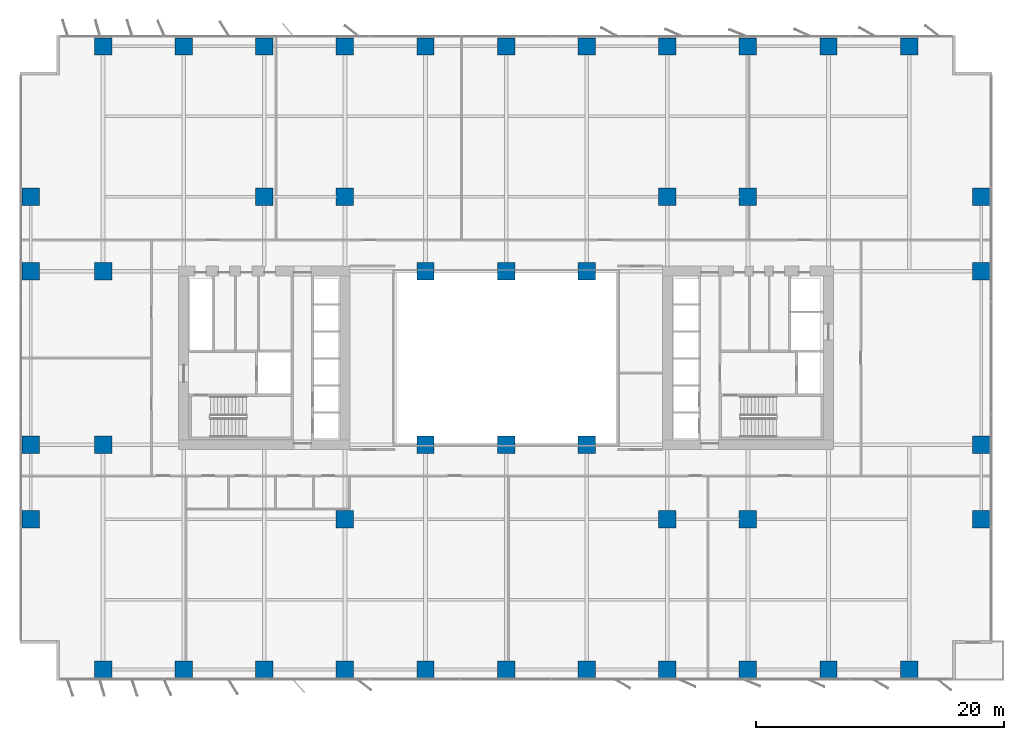
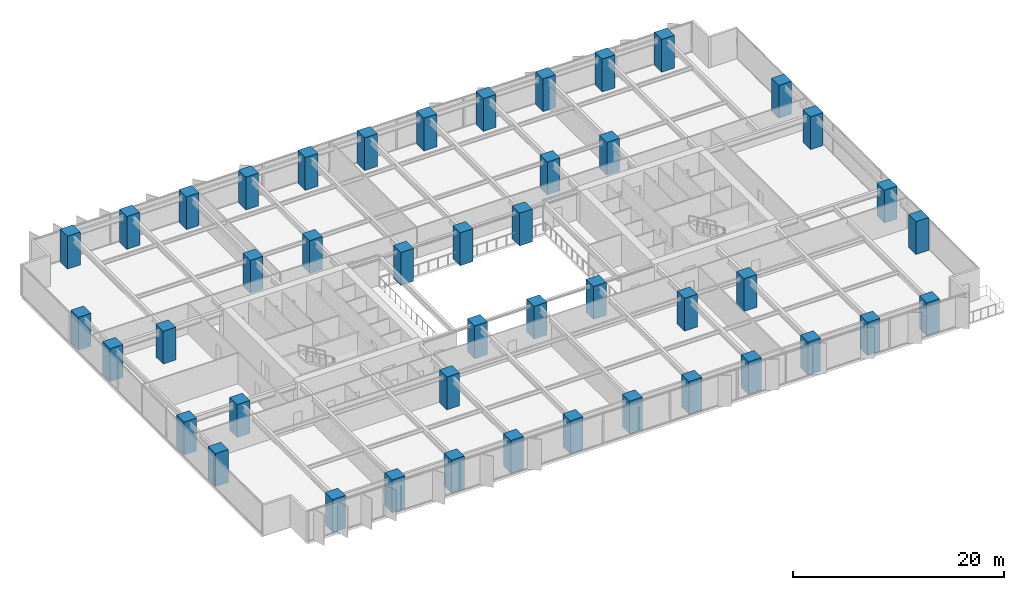
# One storey, part 1 of 20: 45 columns.
"""IFC4 building model written with IfcOpenShell, lengths in metres."""

from ifc_helpers import new_model, si_unit, direction, frame, origin, origin_2d, place, context, subcontext, project, spatial, rectangle, extrude, material, material_profile, profile_set, type_object, element, save


model = new_model("IFC4")

# Units and contexts
model_context = context("Model", 3, precision=1e-05, world=origin(), true_north=direction((0.0, 1.0)))
body_context = subcontext(model_context, "Body", "Model", "MODEL_VIEW")
ifc_project = project(units=[si_unit("LENGTHUNIT", "METRE"), si_unit("AREAUNIT", "SQUARE_METRE"), si_unit("VOLUMEUNIT", "CUBIC_METRE"), si_unit("PLANEANGLEUNIT", "RADIAN"), si_unit("MASSUNIT", "GRAM", prefix="KILO")], contexts=[model_context])

# Site, building, storey
site_placement = place(None, origin())
site = spatial("IfcSite", under=ifc_project, at=site_placement, CompositionType="ELEMENT")
building_placement = place(site_placement, origin())
building = spatial("IfcBuilding", under=site, at=building_placement, Name="Putna Gate Headquarters", CompositionType="ELEMENT")
storey_placement = place(building_placement, frame((0.0, 0.0, 43.0)))
storey = spatial("IfcBuildingStorey", under=building, at=storey_placement, Name="L09", CompositionType="ELEMENT", Elevation=43.0)

# Columns
ifc_material = material(Name="Concrete C60/75", Category="concrete")
ifc_material_profile_1 = material_profile(ifc_material, rectangle(XDim=1.39990234375, YDim=1.39990234375, at=origin_2d()), Name="Concrete C60/75")
ifc_profile_set_1 = profile_set([ifc_material_profile_1], Name="Concrete C60/75")
column_type_1 = type_object("IfcColumnType", Name="COL-RC1400-EXT", PredefinedType="COLUMN", material=ifc_profile_set_1)
for number, where, z_axis, x_axis, name in (
    (1, (6.5, 0.8798828125, 0.0), (0.0, 0.0, 1.0), (1.0, 0.0, 0.0), "L09 Column CP-S6"),
    (2, (6.5, 51.1201171875, 0.0), (0.0, 0.0, 1.0), (1.0, 0.0, 0.0), "L09 Column CP-N6"),
    (3, (13.0, 0.8798828125, 0.0), (0.0, 0.0, 1.0), (1.0, 0.0, 0.0), "L09 Column CP-S13"),
    (4, (13.0, 51.1201171875, 0.0), (0.0, 0.0, 1.0), (1.0, 0.0, 0.0), "L09 Column CP-N13"),
    (5, (19.5, 0.8798828125, 0.0), (0.0, 0.0, 1.0), (1.0, 0.0, 0.0), "L09 Column CP-S19"),
    (6, (19.5, 51.1201171875, 0.0), (0.0, 0.0, 1.0), (1.0, 0.0, 0.0), "L09 Column CP-N19"),
    (7, (26.0, 0.8798828125, 0.0), (0.0, 0.0, 1.0), (1.0, 0.0, 0.0), "L09 Column CP-S26"),
    (8, (26.0, 51.1201171875, 0.0), (0.0, 0.0, 1.0), (1.0, 0.0, 0.0), "L09 Column CP-N26"),
    (9, (32.5, 0.8798828125, 0.0), (0.0, 0.0, 1.0), (1.0, 0.0, 0.0), "L09 Column CP-S32"),
    (10, (32.5, 51.1201171875, 0.0), (0.0, 0.0, 1.0), (1.0, 0.0, 0.0), "L09 Column CP-N32"),
    (11, (39.0, 0.8798828125, 0.0), (0.0, 0.0, 1.0), (1.0, 0.0, 0.0), "L09 Column CP-S39"),
    (12, (39.0, 51.1201171875, 0.0), (0.0, 0.0, 1.0), (1.0, 0.0, 0.0), "L09 Column CP-N39"),
    (13, (45.5, 0.8798828125, 0.0), (0.0, 0.0, 1.0), (1.0, 0.0, 0.0), "L09 Column CP-S45"),
    (14, (45.5, 51.1201171875, 0.0), (0.0, 0.0, 1.0), (1.0, 0.0, 0.0), "L09 Column CP-N45"),
    (15, (52.0, 0.8798828125, 0.0), (0.0, 0.0, 1.0), (1.0, 0.0, 0.0), "L09 Column CP-S52"),
    (16, (52.0, 51.1201171875, 0.0), (0.0, 0.0, 1.0), (1.0, 0.0, 0.0), "L09 Column CP-N52"),
    (17, (58.5, 0.8798828125, 0.0), (0.0, 0.0, 1.0), (1.0, 0.0, 0.0), "L09 Column CP-S58"),
    (18, (58.5, 51.1201171875, 0.0), (0.0, 0.0, 1.0), (1.0, 0.0, 0.0), "L09 Column CP-N58"),
    (19, (65.0, 0.8798828125, 0.0), (0.0, 0.0, 1.0), (1.0, 0.0, 0.0), "L09 Column CP-S65"),
    (20, (65.0, 51.1201171875, 0.0), (0.0, 0.0, 1.0), (1.0, 0.0, 0.0), "L09 Column CP-N65"),
    (21, (71.5, 0.8798828125, 0.0), (0.0, 0.0, 1.0), (1.0, 0.0, 0.0), "L09 Column CP-S71"),
    (22, (71.5, 51.1201171875, 0.0), (0.0, 0.0, 1.0), (1.0, 0.0, 0.0), "L09 Column CP-N71"),
    (23, (0.679931640625, 13.0, 0.0), (0.0, 0.0, 1.0), (1.0, 0.0, 0.0), "L09 Column CP-W13"),
    (24, (77.320068359375, 13.0, 0.0), (0.0, 0.0, 1.0), (1.0, 0.0, 0.0), "L09 Column CP-E13"),
    (25, (0.679931640625, 19.0, 0.0), (0.0, 0.0, 1.0), (1.0, 0.0, 0.0), "L09 Column CP-W19"),
    (26, (77.320068359375, 19.0, 0.0), (0.0, 0.0, 1.0), (1.0, 0.0, 0.0), "L09 Column CP-E19"),
    (27, (0.679931640625, 33.0, 0.0), (0.0, 0.0, 1.0), (1.0, 0.0, 0.0), "L09 Column CP-W33"),
    (28, (77.320068359375, 33.0, 0.0), (0.0, 0.0, 1.0), (1.0, 0.0, 0.0), "L09 Column CP-E33"),
    (29, (0.679931640625, 39.0, 0.0), (0.0, 0.0, 1.0), (1.0, 0.0, 0.0), "L09 Column CP-W39"),
    (30, (77.320068359375, 39.0, 0.0), (0.0, 0.0, 1.0), (1.0, 0.0, 0.0), "L09 Column CP-E39"),
):
    element("IfcColumn", number, at=place(storey_placement, frame(where, z_axis=z_axis, x_axis=x_axis)), inside=storey, type_object=column_type_1, Name=name, PredefinedType="COLUMN", context=body_context, shape_type="SweptSolid", body=[
        extrude(rectangle(XDim=1.39990234375, YDim=1.39990234375, at=origin_2d()), origin(), (0.0, 0.0, 1.0), 3.800048828125),
    ])
ifc_material_profile_2 = material_profile(ifc_material, rectangle(XDim=1.39990234375, YDim=1.39990234375, at=origin_2d()), Name="Concrete C60/75")
ifc_profile_set_2 = profile_set([ifc_material_profile_2], Name="Concrete C60/75")
column_type_2 = type_object("IfcColumnType", Name="COL-RC1400-INT", PredefinedType="COLUMN", material=ifc_profile_set_2)
for number, where, z_axis, x_axis, name in (
    (31, (19.5, 39.0, 0.0), (0.0, 0.0, 1.0), (1.0, 0.0, 0.0), "L09 Column CSI-WN"),
    (32, (58.5, 13.0, 0.0), (0.0, 0.0, 1.0), (1.0, 0.0, 0.0), "L09 Column CSI-ES"),
    (33, (58.5, 39.0, 0.0), (0.0, 0.0, 1.0), (1.0, 0.0, 0.0), "L09 Column CSI-EN"),
    (34, (6.5, 19.0, 0.0), (0.0, 0.0, 1.0), (1.0, 0.0, 0.0), "L09 Column CSI-WM"),
    (35, (6.5, 33.0, 0.0), (0.0, 0.0, 1.0), (1.0, 0.0, 0.0), "L09 Column CSI-WNW"),
    (36, (32.5, 19.0, 0.0), (0.0, 0.0, 1.0), (1.0, 0.0, 0.0), "L09 Column CAI-S32"),
    (37, (32.5, 33.0, 0.0), (0.0, 0.0, 1.0), (1.0, 0.0, 0.0), "L09 Column CAI-N32"),
    (38, (39.0, 19.0, 0.0), (0.0, 0.0, 1.0), (1.0, 0.0, 0.0), "L09 Column CAI-S39"),
    (39, (39.0, 33.0, 0.0), (0.0, 0.0, 1.0), (1.0, 0.0, 0.0), "L09 Column CAI-N39"),
    (40, (45.5, 19.0, 0.0), (0.0, 0.0, 1.0), (1.0, 0.0, 0.0), "L09 Column CAI-S45"),
    (41, (45.5, 33.0, 0.0), (0.0, 0.0, 1.0), (1.0, 0.0, 0.0), "L09 Column CAI-N45"),
    (42, (26.0, 13.0, 0.0), (0.0, 0.0, 1.0), (1.0, 0.0, 0.0), "L09 Column CAP-WS"),
    (43, (26.0, 39.0, 0.0), (0.0, 0.0, 1.0), (1.0, 0.0, 0.0), "L09 Column CAP-WN"),
    (44, (52.0, 13.0, 0.0), (0.0, 0.0, 1.0), (1.0, 0.0, 0.0), "L09 Column CAP-ES"),
    (45, (52.0, 39.0, 0.0), (0.0, 0.0, 1.0), (1.0, 0.0, 0.0), "L09 Column CAP-EN"),
):
    element("IfcColumn", number, at=place(storey_placement, frame(where, z_axis=z_axis, x_axis=x_axis)), inside=storey, type_object=column_type_2, Name=name, PredefinedType="COLUMN", context=body_context, shape_type="SweptSolid", body=[
        extrude(rectangle(XDim=1.39990234375, YDim=1.39990234375, at=origin_2d()), origin(), (0.0, 0.0, 1.0), 3.800048828125),
    ])

save(model, "model.ifc")
